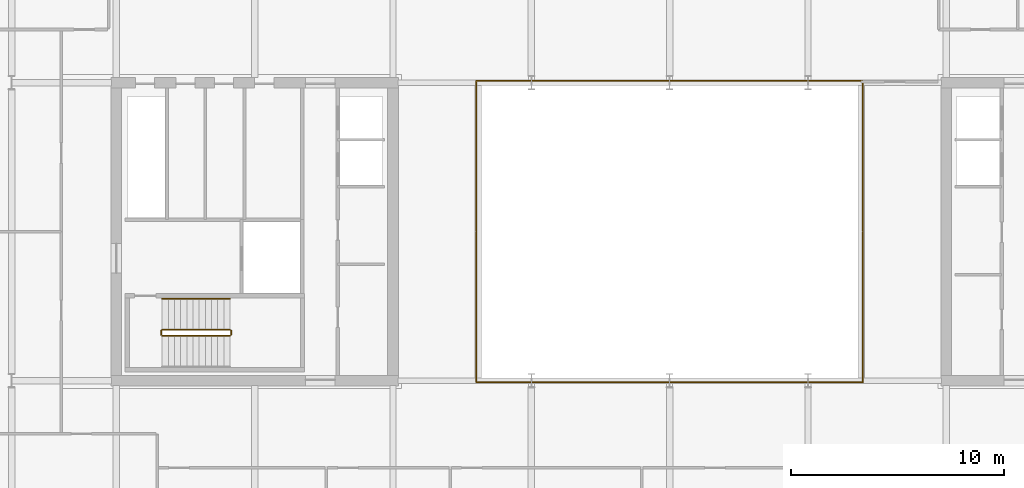
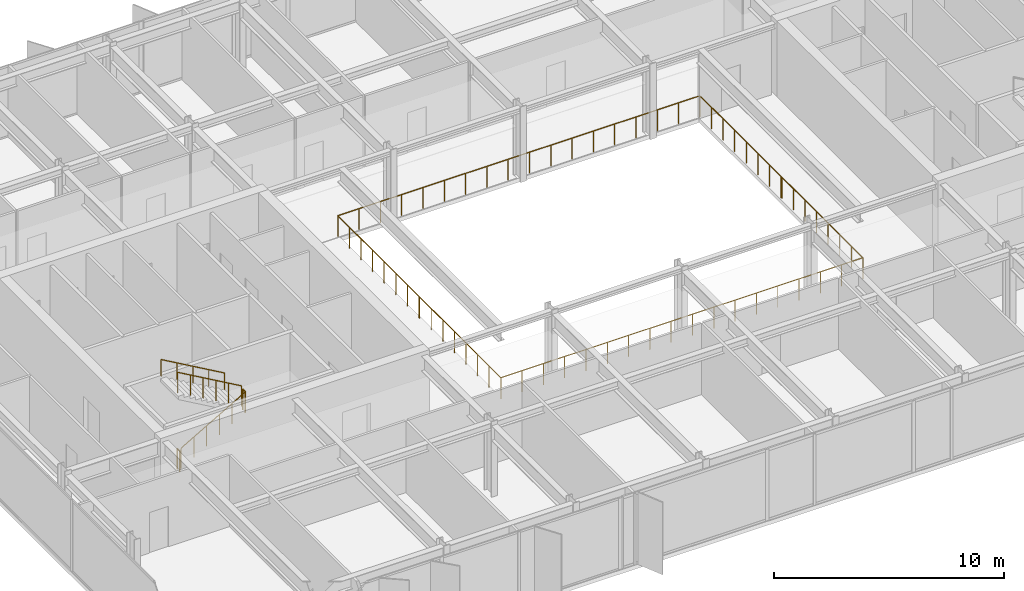
# One storey, part 18 of 21: 7 railings.
"""IFC4 building model written with IfcOpenShell, lengths in metres."""

from ifc_helpers import new_model, si_unit, direction, frame, origin, origin_2d, place, context, subcontext, project, spatial, circle, extrude, material, type_object, element, save


model = new_model("IFC4")

# Units and contexts
model_context = context("Model", 3, precision=1e-05, world=origin(), true_north=direction((0.0, 1.0)))
body_context = subcontext(model_context, "Body", "Model", "MODEL_VIEW")
ifc_project = project(units=[si_unit("LENGTHUNIT", "METRE"), si_unit("AREAUNIT", "SQUARE_METRE"), si_unit("VOLUMEUNIT", "CUBIC_METRE"), si_unit("PLANEANGLEUNIT", "RADIAN"), si_unit("MASSUNIT", "GRAM", prefix="KILO")], contexts=[model_context])

# Site, building, storey
site_placement = place(None, origin())
site = spatial("IfcSite", under=ifc_project, at=site_placement, CompositionType="ELEMENT")
building_placement = place(site_placement, origin())
building = spatial("IfcBuilding", under=site, at=building_placement, Name="Putna Gate Headquarters", CompositionType="ELEMENT")
storey_placement = place(building_placement, frame((0.0, 0.0, 278.39990234375)))
storey = spatial("IfcBuildingStorey", under=building, at=storey_placement, Name="L70", CompositionType="ELEMENT", Elevation=278.39990234375)

# Railings
ifc_material_1 = material(Name="Anodised bronze and laminated glass atrium balustrade", Category="glass")
railing_type_1 = type_object("IfcRailingType", Name="RAIL-ATRIUM-GUARD-1150", PredefinedType="GUARDRAIL", material=ifc_material_1)
railing_1_placement = place(storey_placement, frame((29.919921875, 25.969970703125, 0.0)))
element("IfcRailing", 1, at=railing_1_placement, inside=storey, type_object=railing_type_1, Name="L70 Central Atrium Glazed Balustrade South", PredefinedType="GUARDRAIL", context=body_context, shape_type="SweptSolid", body=[
    extrude(circle(Radius=0.02392578125, at=origin_2d()), frame((0.0, 0.0, 1.1259765625), z_axis=(0.0, -1.0, 0.0), x_axis=(1.0, 0.0, 0.0)), (0.0, 0.0, 1.0), 7.050048828125),
    extrude(circle(Radius=0.02392578125, at=origin_2d()), frame((0.0, -7.050048828125, 1.1259765625), z_axis=(1.0, 0.0, 0.0), x_axis=(0.0, 1.0, 0.0)), (0.0, 0.0, 1.0), 18.16015625),
    extrude(circle(Radius=0.02392578125, at=origin_2d()), frame((18.16015625, -7.050048828125, 1.1259765625), z_axis=(0.0, 1.0, 0.0), x_axis=(-1.0, 0.0, 0.0)), (0.0, 0.0, 1.0), 7.050048828125),
    extrude(circle(Radius=0.02099609375, at=origin_2d()), origin(), (0.0, 0.0, 1.0), 1.101806640625),
    extrude(circle(Radius=0.02099609375, at=origin_2d()), frame((0.0, -1.007080078125, 0.0)), (0.0, 0.0, 1.0), 1.101806640625),
    extrude(circle(Radius=0.02099609375, at=origin_2d()), frame((0.0, -2.014404296875, 0.0)), (0.0, 0.0, 1.0), 1.101806640625),
    extrude(circle(Radius=0.02099609375, at=origin_2d()), frame((0.0, -3.021484375, 0.0)), (0.0, 0.0, 1.0), 1.101806640625),
    extrude(circle(Radius=0.02099609375, at=origin_2d()), frame((0.0, -4.028564453125, 0.0)), (0.0, 0.0, 1.0), 1.101806640625),
    extrude(circle(Radius=0.02099609375, at=origin_2d()), frame((0.0, -5.03564453125, 0.0)), (0.0, 0.0, 1.0), 1.101806640625),
    extrude(circle(Radius=0.02099609375, at=origin_2d()), frame((0.0, -6.04296875, 0.0)), (0.0, 0.0, 1.0), 1.101806640625),
    extrude(circle(Radius=0.02099609375, at=origin_2d()), frame((0.0, -7.050048828125, 0.0)), (0.0, 0.0, 1.0), 1.101806640625),
    extrude(circle(Radius=0.02099609375, at=origin_2d()), frame((1.068359375, -7.050048828125, 0.0)), (0.0, 0.0, 1.0), 1.101806640625),
    extrude(circle(Radius=0.02099609375, at=origin_2d()), frame((2.136474609375, -7.050048828125, 0.0)), (0.0, 0.0, 1.0), 1.101806640625),
    extrude(circle(Radius=0.02099609375, at=origin_2d()), frame((3.204833984375, -7.050048828125, 0.0)), (0.0, 0.0, 1.0), 1.101806640625),
    extrude(circle(Radius=0.02099609375, at=origin_2d()), frame((4.27294921875, -7.050048828125, 0.0)), (0.0, 0.0, 1.0), 1.101806640625),
    extrude(circle(Radius=0.02099609375, at=origin_2d()), frame((5.34130859375, -7.050048828125, 0.0)), (0.0, 0.0, 1.0), 1.101806640625),
    extrude(circle(Radius=0.02099609375, at=origin_2d()), frame((6.409423828125, -7.050048828125, 0.0)), (0.0, 0.0, 1.0), 1.101806640625),
    extrude(circle(Radius=0.02099609375, at=origin_2d()), frame((7.477783203125, -7.050048828125, 0.0)), (0.0, 0.0, 1.0), 1.101806640625),
    extrude(circle(Radius=0.02099609375, at=origin_2d()), frame((8.5458984375, -7.050048828125, 0.0)), (0.0, 0.0, 1.0), 1.101806640625),
    extrude(circle(Radius=0.02099609375, at=origin_2d()), frame((9.6142578125, -7.050048828125, 0.0)), (0.0, 0.0, 1.0), 1.101806640625),
    extrude(circle(Radius=0.02099609375, at=origin_2d()), frame((10.682373046875, -7.050048828125, 0.0)), (0.0, 0.0, 1.0), 1.101806640625),
    extrude(circle(Radius=0.02099609375, at=origin_2d()), frame((11.750732421875, -7.050048828125, 0.0)), (0.0, 0.0, 1.0), 1.101806640625),
    extrude(circle(Radius=0.02099609375, at=origin_2d()), frame((12.81884765625, -7.050048828125, 0.0)), (0.0, 0.0, 1.0), 1.101806640625),
    extrude(circle(Radius=0.02099609375, at=origin_2d()), frame((13.88720703125, -7.050048828125, 0.0)), (0.0, 0.0, 1.0), 1.101806640625),
    extrude(circle(Radius=0.02099609375, at=origin_2d()), frame((14.955322265625, -7.050048828125, 0.0)), (0.0, 0.0, 1.0), 1.101806640625),
    extrude(circle(Radius=0.02099609375, at=origin_2d()), frame((16.023681640625, -7.050048828125, 0.0)), (0.0, 0.0, 1.0), 1.101806640625),
    extrude(circle(Radius=0.02099609375, at=origin_2d()), frame((17.091796875, -7.050048828125, 0.0)), (0.0, 0.0, 1.0), 1.101806640625),
    extrude(circle(Radius=0.02099609375, at=origin_2d()), frame((18.16015625, -7.050048828125, 0.0)), (0.0, 0.0, 1.0), 1.101806640625),
    extrude(circle(Radius=0.02099609375, at=origin_2d()), frame((18.16015625, -6.04296875, 0.0)), (0.0, 0.0, 1.0), 1.101806640625),
    extrude(circle(Radius=0.02099609375, at=origin_2d()), frame((18.16015625, -5.03564453125, 0.0)), (0.0, 0.0, 1.0), 1.101806640625),
    extrude(circle(Radius=0.02099609375, at=origin_2d()), frame((18.16015625, -4.028564453125, 0.0)), (0.0, 0.0, 1.0), 1.101806640625),
    extrude(circle(Radius=0.02099609375, at=origin_2d()), frame((18.16015625, -3.021484375, 0.0)), (0.0, 0.0, 1.0), 1.101806640625),
    extrude(circle(Radius=0.02099609375, at=origin_2d()), frame((18.16015625, -2.014404296875, 0.0)), (0.0, 0.0, 1.0), 1.101806640625),
    extrude(circle(Radius=0.02099609375, at=origin_2d()), frame((18.16015625, -1.007080078125, 0.0)), (0.0, 0.0, 1.0), 1.101806640625),
    extrude(circle(Radius=0.02099609375, at=origin_2d()), frame((18.16015625, 0.0, 0.0)), (0.0, 0.0, 1.0), 1.101806640625),
])
railing_2_placement = place(storey_placement, frame((48.080078125, 26.030029296875, 0.0)))
element("IfcRailing", 2, at=railing_2_placement, inside=storey, type_object=railing_type_1, Name="L70 Central Atrium Glazed Balustrade North", PredefinedType="GUARDRAIL", context=body_context, shape_type="SweptSolid", body=[
    extrude(circle(Radius=0.02392578125, at=origin_2d()), frame((0.0, 0.0, 1.1259765625), z_axis=(0.0, 1.0, 0.0), x_axis=(-1.0, 0.0, 0.0)), (0.0, 0.0, 1.0), 7.050048828125),
    extrude(circle(Radius=0.02392578125, at=origin_2d()), frame((0.0, 7.050048828125, 1.1259765625), z_axis=(-1.0, 0.0, 0.0), x_axis=(0.0, -1.0, 0.0)), (0.0, 0.0, 1.0), 18.16015625),
    extrude(circle(Radius=0.02392578125, at=origin_2d()), frame((-18.16015625, 7.050048828125, 1.1259765625), z_axis=(0.0, -1.0, 0.0), x_axis=(1.0, 0.0, 0.0)), (0.0, 0.0, 1.0), 7.050048828125),
    extrude(circle(Radius=0.02099609375, at=origin_2d()), origin(), (0.0, 0.0, 1.0), 1.101806640625),
    extrude(circle(Radius=0.02099609375, at=origin_2d()), frame((0.0, 1.007080078125, 0.0)), (0.0, 0.0, 1.0), 1.101806640625),
    extrude(circle(Radius=0.02099609375, at=origin_2d()), frame((0.0, 2.014404296875, 0.0)), (0.0, 0.0, 1.0), 1.101806640625),
    extrude(circle(Radius=0.02099609375, at=origin_2d()), frame((0.0, 3.021484375, 0.0)), (0.0, 0.0, 1.0), 1.101806640625),
    extrude(circle(Radius=0.02099609375, at=origin_2d()), frame((0.0, 4.028564453125, 0.0)), (0.0, 0.0, 1.0), 1.101806640625),
    extrude(circle(Radius=0.02099609375, at=origin_2d()), frame((0.0, 5.03564453125, 0.0)), (0.0, 0.0, 1.0), 1.101806640625),
    extrude(circle(Radius=0.02099609375, at=origin_2d()), frame((0.0, 6.04296875, 0.0)), (0.0, 0.0, 1.0), 1.101806640625),
    extrude(circle(Radius=0.02099609375, at=origin_2d()), frame((0.0, 7.050048828125, 0.0)), (0.0, 0.0, 1.0), 1.101806640625),
    extrude(circle(Radius=0.02099609375, at=origin_2d()), frame((-1.068359375, 7.050048828125, 0.0)), (0.0, 0.0, 1.0), 1.101806640625),
    extrude(circle(Radius=0.02099609375, at=origin_2d()), frame((-2.136474609375, 7.050048828125, 0.0)), (0.0, 0.0, 1.0), 1.101806640625),
    extrude(circle(Radius=0.02099609375, at=origin_2d()), frame((-3.204833984375, 7.050048828125, 0.0)), (0.0, 0.0, 1.0), 1.101806640625),
    extrude(circle(Radius=0.02099609375, at=origin_2d()), frame((-4.27294921875, 7.050048828125, 0.0)), (0.0, 0.0, 1.0), 1.101806640625),
    extrude(circle(Radius=0.02099609375, at=origin_2d()), frame((-5.34130859375, 7.050048828125, 0.0)), (0.0, 0.0, 1.0), 1.101806640625),
    extrude(circle(Radius=0.02099609375, at=origin_2d()), frame((-6.409423828125, 7.050048828125, 0.0)), (0.0, 0.0, 1.0), 1.101806640625),
    extrude(circle(Radius=0.02099609375, at=origin_2d()), frame((-7.477783203125, 7.050048828125, 0.0)), (0.0, 0.0, 1.0), 1.101806640625),
    extrude(circle(Radius=0.02099609375, at=origin_2d()), frame((-8.5458984375, 7.050048828125, 0.0)), (0.0, 0.0, 1.0), 1.101806640625),
    extrude(circle(Radius=0.02099609375, at=origin_2d()), frame((-9.6142578125, 7.050048828125, 0.0)), (0.0, 0.0, 1.0), 1.101806640625),
    extrude(circle(Radius=0.02099609375, at=origin_2d()), frame((-10.682373046875, 7.050048828125, 0.0)), (0.0, 0.0, 1.0), 1.101806640625),
    extrude(circle(Radius=0.02099609375, at=origin_2d()), frame((-11.750732421875, 7.050048828125, 0.0)), (0.0, 0.0, 1.0), 1.101806640625),
    extrude(circle(Radius=0.02099609375, at=origin_2d()), frame((-12.81884765625, 7.050048828125, 0.0)), (0.0, 0.0, 1.0), 1.101806640625),
    extrude(circle(Radius=0.02099609375, at=origin_2d()), frame((-13.88720703125, 7.050048828125, 0.0)), (0.0, 0.0, 1.0), 1.101806640625),
    extrude(circle(Radius=0.02099609375, at=origin_2d()), frame((-14.955322265625, 7.050048828125, 0.0)), (0.0, 0.0, 1.0), 1.101806640625),
    extrude(circle(Radius=0.02099609375, at=origin_2d()), frame((-16.023681640625, 7.050048828125, 0.0)), (0.0, 0.0, 1.0), 1.101806640625),
    extrude(circle(Radius=0.02099609375, at=origin_2d()), frame((-17.091796875, 7.050048828125, 0.0)), (0.0, 0.0, 1.0), 1.101806640625),
    extrude(circle(Radius=0.02099609375, at=origin_2d()), frame((-18.16015625, 7.050048828125, 0.0)), (0.0, 0.0, 1.0), 1.101806640625),
    extrude(circle(Radius=0.02099609375, at=origin_2d()), frame((-18.16015625, 6.04296875, 0.0)), (0.0, 0.0, 1.0), 1.101806640625),
    extrude(circle(Radius=0.02099609375, at=origin_2d()), frame((-18.16015625, 5.03564453125, 0.0)), (0.0, 0.0, 1.0), 1.101806640625),
    extrude(circle(Radius=0.02099609375, at=origin_2d()), frame((-18.16015625, 4.028564453125, 0.0)), (0.0, 0.0, 1.0), 1.101806640625),
    extrude(circle(Radius=0.02099609375, at=origin_2d()), frame((-18.16015625, 3.021484375, 0.0)), (0.0, 0.0, 1.0), 1.101806640625),
    extrude(circle(Radius=0.02099609375, at=origin_2d()), frame((-18.16015625, 2.014404296875, 0.0)), (0.0, 0.0, 1.0), 1.101806640625),
    extrude(circle(Radius=0.02099609375, at=origin_2d()), frame((-18.16015625, 1.007080078125, 0.0)), (0.0, 0.0, 1.0), 1.101806640625),
    extrude(circle(Radius=0.02099609375, at=origin_2d()), frame((-18.16015625, 0.0, 0.0)), (0.0, 0.0, 1.0), 1.101806640625),
])
ifc_material_2 = material(Name="Powder-coated steel stair guardrail", Category="steel")
railing_type_2 = type_object("IfcRailingType", Name="RAIL-STAIR-GUARD-1100", PredefinedType="GUARDRAIL", material=ifc_material_2)
railing_3_placement = place(storey_placement, frame((15.14990234375, 21.10009765625, 0.166748046875)))
element("IfcRailing", 3, at=railing_3_placement, inside=storey, type_object=railing_type_2, Name="L70 ST1 stair guard 1", PredefinedType="GUARDRAIL", context=body_context, shape_type="SweptSolid", body=[
    extrude(circle(Radius=0.02392578125, at=origin_2d()), frame((0.0, 0.0, 1.076171875), z_axis=(0.8670360191, 0.0, 0.498245463184), x_axis=(0.0, 1.0, 0.0)), (0.0, 0.0, 1.0), 3.679443359375),
    extrude(circle(Radius=0.02099609375, at=origin_2d()), origin(), (0.0, 0.0, 1.0), 1.052001953125),
    extrude(circle(Radius=0.02099609375, at=origin_2d()), frame((0.637939453125, 0.0, 0.36669921875)), (0.0, 0.0, 1.0), 1.052001953125),
    extrude(circle(Radius=0.02099609375, at=origin_2d()), frame((1.276123046875, 0.0, 0.7333984375)), (0.0, 0.0, 1.0), 1.052001953125),
    extrude(circle(Radius=0.02099609375, at=origin_2d()), frame((1.9140625, 0.0, 1.099853515625)), (0.0, 0.0, 1.0), 1.052001953125),
    extrude(circle(Radius=0.02099609375, at=origin_2d()), frame((2.55224609375, 0.0, 1.466552734375)), (0.0, 0.0, 1.0), 1.052001953125),
    extrude(circle(Radius=0.02099609375, at=origin_2d()), frame((3.190185546875, 0.0, 1.833251953125)), (0.0, 0.0, 1.0), 1.052001953125),
])
railing_4_placement = place(storey_placement, frame((18.389892578125, 21.14990234375, 2.0)))
element("IfcRailing", 4, at=railing_4_placement, inside=storey, type_object=railing_type_2, Name="L70 ST1 stair guard 2", PredefinedType="GUARDRAIL", context=body_context, shape_type="SweptSolid", body=[
    extrude(circle(Radius=0.02392578125, at=origin_2d()), frame((0.0, 0.0, 1.076171875), z_axis=(0.0, 1.0, 0.0), x_axis=(-1.0, 0.0, 0.0)), (0.0, 0.0, 1.0), 0.2001953125),
    extrude(circle(Radius=0.02099609375, at=origin_2d()), origin(), (0.0, 0.0, 1.0), 1.052001953125),
    extrude(circle(Radius=0.02099609375, at=origin_2d()), frame((0.0, 0.2001953125, 0.0)), (0.0, 0.0, 1.0), 1.052001953125),
])
railing_5_placement = place(storey_placement, frame((18.340087890625, 21.39990234375, 2.166748046875)))
element("IfcRailing", 5, at=railing_5_placement, inside=storey, type_object=railing_type_2, Name="L70 ST1 stair guard 3", PredefinedType="GUARDRAIL", context=body_context, shape_type="SweptSolid", body=[
    extrude(circle(Radius=0.02392578125, at=origin_2d()), frame((0.0, 0.0, 1.076171875), z_axis=(-0.8670360191, 0.0, 0.498245463184), x_axis=(0.0, -1.0, 0.0)), (0.0, 0.0, 1.0), 3.679443359375),
    extrude(circle(Radius=0.02099609375, at=origin_2d()), origin(), (0.0, 0.0, 1.0), 1.052001953125),
    extrude(circle(Radius=0.02099609375, at=origin_2d()), frame((-0.637939453125, 0.0, 0.36669921875)), (0.0, 0.0, 1.0), 1.052001953125),
    extrude(circle(Radius=0.02099609375, at=origin_2d()), frame((-1.276123046875, 0.0, 0.7333984375)), (0.0, 0.0, 1.0), 1.052001953125),
    extrude(circle(Radius=0.02099609375, at=origin_2d()), frame((-1.9140625, 0.0, 1.099853515625)), (0.0, 0.0, 1.0), 1.052001953125),
    extrude(circle(Radius=0.02099609375, at=origin_2d()), frame((-2.55224609375, 0.0, 1.466552734375)), (0.0, 0.0, 1.0), 1.052001953125),
    extrude(circle(Radius=0.02099609375, at=origin_2d()), frame((-3.190185546875, 0.0, 1.833251953125)), (0.0, 0.0, 1.0), 1.052001953125),
])
railing_6_placement = place(storey_placement, frame((15.10009765625, 21.14990234375, 0.0)))
element("IfcRailing", 6, at=railing_6_placement, inside=storey, type_object=railing_type_2, Name="L70 ST1 stair guard 4", PredefinedType="GUARDRAIL", context=body_context, shape_type="SweptSolid", body=[
    extrude(circle(Radius=0.02392578125, at=origin_2d()), frame((0.0, 0.0, 1.076171875), z_axis=(0.0, 1.0, 0.0), x_axis=(-1.0, 0.0, 0.0)), (0.0, 0.0, 1.0), 0.2001953125),
    extrude(circle(Radius=0.02099609375, at=origin_2d()), origin(), (0.0, 0.0, 1.0), 1.052001953125),
    extrude(circle(Radius=0.02099609375, at=origin_2d()), frame((0.0, 0.2001953125, 0.0)), (0.0, 0.0, 1.0), 1.052001953125),
])
ifc_material_3 = material(Name="Brushed stainless steel handrail", Category="steel")
railing_type_3 = type_object("IfcRailingType", Name="RAIL-STAIR-HAND-900", PredefinedType="HANDRAIL", material=ifc_material_3)
railing_7_placement = place(storey_placement, frame((18.340087890625, 22.85009765625, 2.166748046875)))
element("IfcRailing", 7, at=railing_7_placement, inside=storey, type_object=railing_type_3, Name="L70 ST1 stair handrail 2", PredefinedType="HANDRAIL", context=body_context, shape_type="SweptSolid", body=[
    extrude(circle(Radius=0.02392578125, at=origin_2d()), frame((0.0, 0.0, 0.8759765625), z_axis=(-0.8670360191, 0.0, 0.498245463184), x_axis=(0.0, -1.0, 0.0)), (0.0, 0.0, 1.0), 3.679443359375),
    extrude(circle(Radius=0.02099609375, at=origin_2d()), origin(), (0.0, 0.0, 1.0), 0.851806640625),
    extrude(circle(Radius=0.02099609375, at=origin_2d()), frame((-0.797607421875, 0.0, 0.458251953125)), (0.0, 0.0, 1.0), 0.851806640625),
    extrude(circle(Radius=0.02099609375, at=origin_2d()), frame((-1.59521484375, 0.0, 0.91650390625)), (0.0, 0.0, 1.0), 0.851806640625),
    extrude(circle(Radius=0.02099609375, at=origin_2d()), frame((-2.392578125, 0.0, 1.375)), (0.0, 0.0, 1.0), 0.851806640625),
    extrude(circle(Radius=0.02099609375, at=origin_2d()), frame((-3.190185546875, 0.0, 1.833251953125)), (0.0, 0.0, 1.0), 0.851806640625),
])

save(model, "model.ifc")
